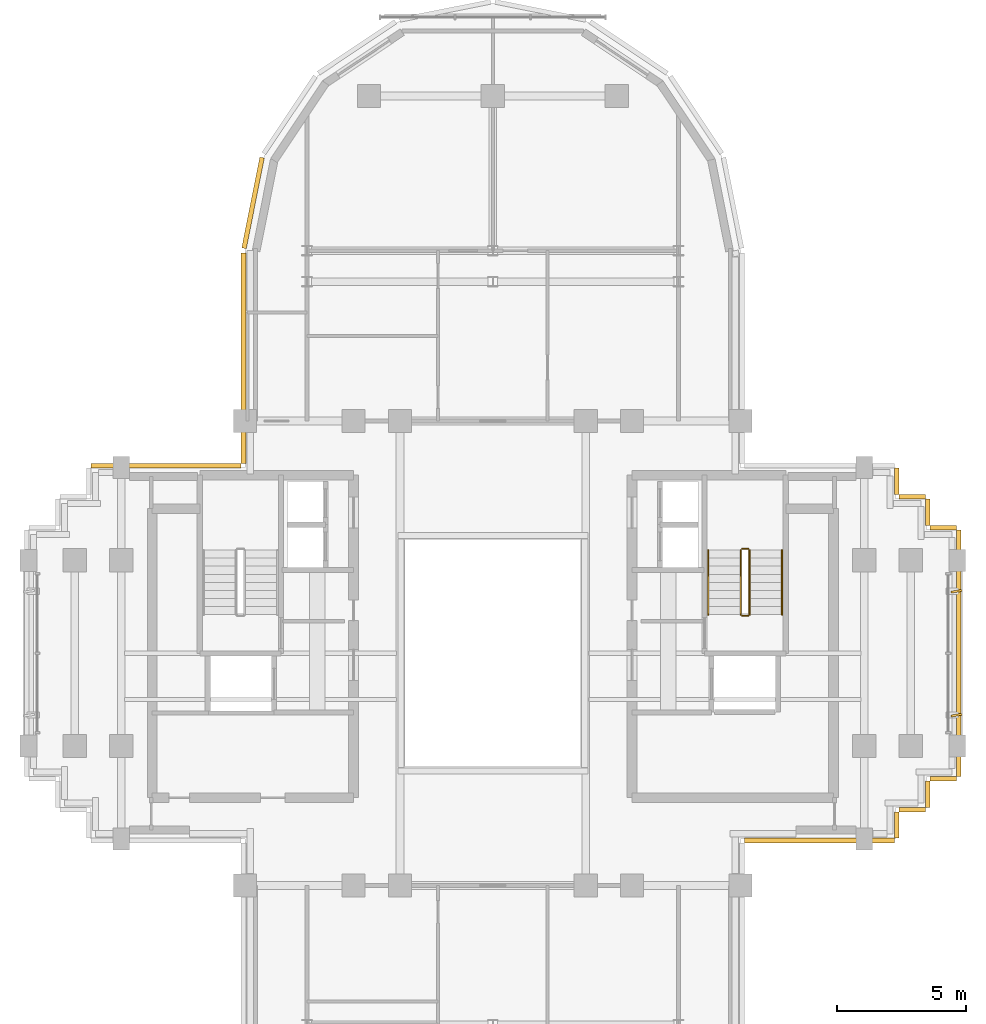
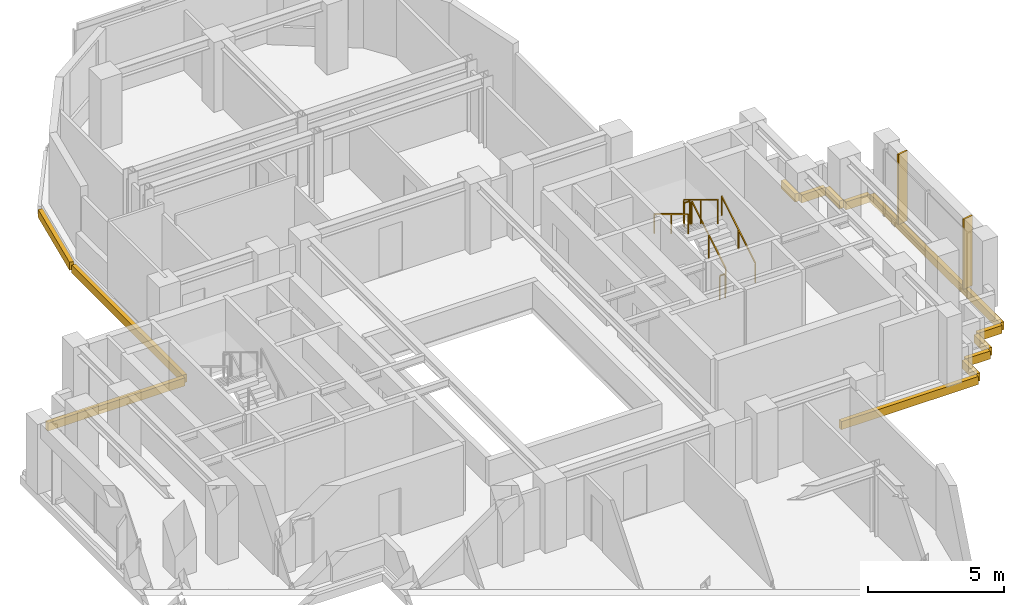
# One storey, part 10 of 11: 13 coverings, 6 railings, 2 shading devices.
"""IFC4 building model written with IfcOpenShell, lengths in metres."""

from ifc_helpers import new_model, si_unit, direction, frame, origin, origin_2d, place, context, subcontext, project, spatial, rectangle, extrude, source, transform, mapped, material, layer, layer_set, type_object, element, save


model = new_model("IFC4")

# Units and contexts
model_context = context("Model", 3, precision=1e-05, world=origin(), true_north=direction((0.0, 1.0)))
body_context = subcontext(model_context, "Body", "Model", "MODEL_VIEW")
ifc_project = project(units=[si_unit("LENGTHUNIT", "METRE"), si_unit("AREAUNIT", "SQUARE_METRE"), si_unit("VOLUMEUNIT", "CUBIC_METRE"), si_unit("PLANEANGLEUNIT", "RADIAN"), si_unit("MASSUNIT", "GRAM", prefix="KILO")], contexts=[model_context])

# Site, building, storey
site_placement = place(None, origin())
site = spatial("IfcSite", under=ifc_project, at=site_placement, CompositionType="ELEMENT")
building_placement = place(site_placement, origin())
building = spatial("IfcBuilding", under=site, at=building_placement, Name="Keilestroom Media Tower", CompositionType="ELEMENT")
storey_placement = place(building_placement, frame((0.0, 0.0, 211.39990234375)))
storey = spatial("IfcBuildingStorey", under=building, at=storey_placement, Name="L58", CompositionType="ELEMENT", Elevation=211.39990234375)

# Railings
ifc_material_1 = material(Name="Brushed Stainless Steel 1.4301", Category="steel")
railing_type_1 = type_object("IfcRailingType", Name="Stair-Pitch-Handrail-920", PredefinedType="HANDRAIL", material=ifc_material_1)
railing_1_placement = place(storey_placement, frame((11.2099609375, 1.5, 0.18896484375)))
element("IfcRailing", 1, at=railing_1_placement, inside=storey, type_object=railing_type_1, Name="L58 ST-2 stair handrail 1", PredefinedType="HANDRAIL", context=body_context, shape_type="SweptSolid", body=[
    extrude(rectangle(XDim=0.048095703125, YDim=0.048095703125, at=origin_2d()), frame((0.0, 0.0, 0.8759765625), z_axis=(0.0, 0.855433747314, 0.517912255074), x_axis=(-1.0, 0.0, 0.0)), (0.0, 0.0, 1.0), 2.91796875),
    extrude(rectangle(XDim=0.0419921875, YDim=0.0419921875, at=origin_2d()), origin(), (0.0, 0.0, 1.0), 0.84375),
    extrude(rectangle(XDim=0.0419921875, YDim=0.0419921875, at=origin_2d()), frame((0.0, 1.248046875, 0.755615234375)), (0.0, 0.0, 1.0), 0.84375),
    extrude(rectangle(XDim=0.0419921875, YDim=0.0419921875, at=origin_2d()), frame((0.0, 2.49609375, 1.51123046875)), (0.0, 0.0, 1.0), 0.84375),
])
railing_2_placement = place(storey_placement, frame((8.35009765625, 3.99609375, 1.888916015625)))
element("IfcRailing", 2, at=railing_2_placement, inside=storey, type_object=railing_type_1, Name="L58 ST-2 stair handrail 2", PredefinedType="HANDRAIL", context=body_context, shape_type="SweptSolid", body=[
    extrude(rectangle(XDim=0.048095703125, YDim=0.048095703125, at=origin_2d()), frame((0.0, 0.0, 0.8759765625), z_axis=(0.0, -0.855433747314, 0.517912255074), x_axis=(1.0, 0.0, 0.0)), (0.0, 0.0, 1.0), 2.91796875),
    extrude(rectangle(XDim=0.0419921875, YDim=0.0419921875, at=origin_2d()), origin(), (0.0, 0.0, 1.0), 0.84375),
    extrude(rectangle(XDim=0.0419921875, YDim=0.0419921875, at=origin_2d()), frame((0.0, -1.248046875, 0.755615234375)), (0.0, 0.0, 1.0), 0.84375),
    extrude(rectangle(XDim=0.0419921875, YDim=0.0419921875, at=origin_2d()), frame((0.0, -2.49609375, 1.51123046875)), (0.0, 0.0, 1.0), 0.84375),
])
ifc_material_2 = material(Name="Painted Steel Balustrade", Category="steel")
railing_type_2 = type_object("IfcRailingType", Name="Stair-Well-And-Landing-Guard-1100", PredefinedType="GUARDRAIL", material=ifc_material_2)
railing_3_placement = place(storey_placement, frame((9.949951171875, 1.5, 0.18896484375)))
element("IfcRailing", 3, at=railing_3_placement, inside=storey, type_object=railing_type_2, Name="L58 ST-2 stair guard 1", PredefinedType="GUARDRAIL", context=body_context, shape_type="SweptSolid", body=[
    extrude(rectangle(XDim=0.048095703125, YDim=0.048095703125, at=origin_2d()), frame((0.0, 0.0, 1.076171875), z_axis=(0.0, 0.855433747314, 0.517912255074), x_axis=(-1.0, 0.0, 0.0)), (0.0, 0.0, 1.0), 2.91796875),
    extrude(rectangle(XDim=0.0419921875, YDim=0.0419921875, at=origin_2d()), origin(), (0.0, 0.0, 1.0), 1.0439453125),
    extrude(rectangle(XDim=0.0419921875, YDim=0.0419921875, at=origin_2d()), frame((0.0, 1.248046875, 0.755615234375)), (0.0, 0.0, 1.0), 1.0439453125),
    extrude(rectangle(XDim=0.0419921875, YDim=0.0419921875, at=origin_2d()), frame((0.0, 2.49609375, 1.51123046875)), (0.0, 0.0, 1.0), 1.0439453125),
])
railing_4_placement = place(storey_placement, frame((9.89990234375, 4.0458984375, 1.7001953125)))
element("IfcRailing", 4, at=railing_4_placement, inside=storey, type_object=railing_type_2, Name="L58 ST-2 stair guard 2", PredefinedType="GUARDRAIL", context=body_context, shape_type="SweptSolid", body=[
    extrude(rectangle(XDim=0.048095703125, YDim=0.048095703125, at=origin_2d()), frame((0.0, 0.0, 1.076171875), z_axis=(-1.0, 0.0, 0.0), x_axis=(0.0, -1.0, 0.0)), (0.0, 0.0, 1.0), 0.239990234375),
    extrude(rectangle(XDim=0.0419921875, YDim=0.0419921875, at=origin_2d()), origin(), (0.0, 0.0, 1.0), 1.0439453125),
    extrude(rectangle(XDim=0.0419921875, YDim=0.0419921875, at=origin_2d()), frame((-0.239990234375, 0.0, 0.0)), (0.0, 0.0, 1.0), 1.0439453125),
])
railing_5_placement = place(storey_placement, frame((9.610107421875, 3.99609375, 1.888916015625)))
element("IfcRailing", 5, at=railing_5_placement, inside=storey, type_object=railing_type_2, Name="L58 ST-2 stair guard 3", PredefinedType="GUARDRAIL", context=body_context, shape_type="SweptSolid", body=[
    extrude(rectangle(XDim=0.048095703125, YDim=0.048095703125, at=origin_2d()), frame((0.0, 0.0, 1.076171875), z_axis=(0.0, -0.855433747314, 0.517912255074), x_axis=(1.0, 0.0, 0.0)), (0.0, 0.0, 1.0), 2.91796875),
    extrude(rectangle(XDim=0.0419921875, YDim=0.0419921875, at=origin_2d()), origin(), (0.0, 0.0, 1.0), 1.0439453125),
    extrude(rectangle(XDim=0.0419921875, YDim=0.0419921875, at=origin_2d()), frame((0.0, -1.248046875, 0.755615234375)), (0.0, 0.0, 1.0), 1.0439453125),
    extrude(rectangle(XDim=0.0419921875, YDim=0.0419921875, at=origin_2d()), frame((0.0, -2.49609375, 1.51123046875)), (0.0, 0.0, 1.0), 1.0439453125),
])
railing_6_placement = place(storey_placement, frame((9.89990234375, 1.449951171875, 0.0)))
element("IfcRailing", 6, at=railing_6_placement, inside=storey, type_object=railing_type_2, Name="L58 ST-2 stair guard 4", PredefinedType="GUARDRAIL", context=body_context, shape_type="SweptSolid", body=[
    extrude(rectangle(XDim=0.048095703125, YDim=0.048095703125, at=origin_2d()), frame((0.0, 0.0, 1.076171875), z_axis=(-1.0, 0.0, 0.0), x_axis=(0.0, -1.0, 0.0)), (0.0, 0.0, 1.0), 0.239990234375),
    extrude(rectangle(XDim=0.0419921875, YDim=0.0419921875, at=origin_2d()), origin(), (0.0, 0.0, 1.0), 1.0439453125),
    extrude(rectangle(XDim=0.0419921875, YDim=0.0419921875, at=origin_2d()), frame((-0.239990234375, 0.0, 0.0)), (0.0, 0.0, 1.0), 1.0439453125),
])

# Shading devices
ifc_material_3 = material(Name="Bronze Anodised Aluminium", Category="aluminium")
shading_device_type = type_object("IfcShadingDeviceType", Name="Facade-Vertical-Sunshade-Fin-SHD-1", PredefinedType="USERDEFINED", material=ifc_material_3)
shared_shape_1 = source(origin(), body_context, "Body", "SweptSolid", [
    extrude(rectangle(XDim=0.419921875, YDim=0.080078125, at=origin_2d()), origin(), (0.0, 0.0, 1.0), 3.139892578125),
])
for number, where, z_axis, x_axis, name in (
    (7, (17.969970703125, -2.39990234375, 0.0), (0.0, 0.0, 1.0), (0.986742655175, 0.162292736925, 0.0), "L58 Twisting Sunshade Fin SHD-1 087"),
    (8, (17.969970703125, 2.39990234375, 0.0), (0.0, 0.0, 1.0), (0.986742655175, 0.162292736925, 0.0), "L58 Twisting Sunshade Fin SHD-1 088"),
):
    element("IfcShadingDevice", number, at=place(storey_placement, frame(where, z_axis=z_axis, x_axis=x_axis)), inside=storey, type_object=shading_device_type, Name=name, ObjectType="SUNSHADE", PredefinedType="USERDEFINED", context=body_context, shape_type="MappedRepresentation", body=[
        mapped(shared_shape_1, transform((0.0, 0.0, 0.0), x_axis=(1.0, 0.0, 0.0), y_axis=(0.0, 1.0, 0.0), z_axis=(0.0, 0.0, 1.0), scale=1.0)),
    ])

# Coverings
ifc_material_4 = material(Name="Precast concrete C40/50", Category="concrete")
ifc_layer = layer(ifc_material_4, 0.1201171875)
ifc_layer_set = layer_set([ifc_layer], Name="Precast concrete C40/50")
covering_type = type_object("IfcCoveringType", Name="Exterior-Precast-Spandrel-Cladding-Panel-120", PredefinedType="CLADDING", material=ifc_layer_set)
shared_shape_2 = source(origin(), body_context, "Body", "SweptSolid", [
    extrude(rectangle(XDim=1.02001953125, YDim=0.179931640625, at=origin_2d()), origin(), (0.0, 0.0, 1.0), 0.360107421875),
])
for number, where, z_axis, x_axis, name in (
    (9, (17.4599609375, -4.860107421875, -0.5400390625), (0.0, 0.0, 1.0), (-1.0, 0.0, 0.0), "L58 Precast Slab-Edge Fascia Cornice 01"),
    (10, (16.860107421875, -5.4599609375, -0.5400390625), (0.0, 0.0, 1.0), (0.0, -1.0, 0.0), "L58 Precast Slab-Edge Fascia Cornice 02"),
    (11, (16.260009765625, -6.06005859375, -0.5400390625), (0.0, 0.0, 1.0), (-1.0, 0.0, 0.0), "L58 Precast Slab-Edge Fascia Cornice 03"),
    (12, (15.659912109375, -6.659912109375, -0.5400390625), (0.0, 0.0, 1.0), (0.0, -1.0, 0.0), "L58 Precast Slab-Edge Fascia Cornice 04"),
    (13, (15.659912109375, 6.659912109375, -0.5400390625), (0.0, 0.0, 1.0), (0.0, -1.0, 0.0), "L58 Precast Slab-Edge Fascia Cornice 38"),
    (14, (16.260009765625, 6.06005859375, -0.5400390625), (0.0, 0.0, 1.0), (1.0, 0.0, 0.0), "L58 Precast Slab-Edge Fascia Cornice 39"),
    (15, (16.860107421875, 5.4599609375, -0.5400390625), (0.0, 0.0, 1.0), (0.0, -1.0, 0.0), "L58 Precast Slab-Edge Fascia Cornice 40"),
    (16, (17.4599609375, 4.860107421875, -0.5400390625), (0.0, 0.0, 1.0), (1.0, 0.0, 0.0), "L58 Precast Slab-Edge Fascia Cornice 41"),
):
    element("IfcCovering", number, at=place(storey_placement, frame(where, z_axis=z_axis, x_axis=x_axis)), inside=storey, type_object=covering_type, Name=name, PredefinedType="CLADDING", context=body_context, shape_type="MappedRepresentation", body=[
        mapped(shared_shape_2, transform((0.0, 0.0, 0.0), x_axis=(1.0, 0.0, 0.0), y_axis=(0.0, 1.0, 0.0), z_axis=(0.0, 0.0, 1.0), scale=1.0)),
    ])
shared_shape_3 = source(origin(), body_context, "Body", "SweptSolid", [
    extrude(rectangle(XDim=8.166015625, YDim=0.179931640625, at=origin_2d()), origin(), (0.0, 0.0, 1.0), 0.360107421875),
])
covering_1_placement = place(storey_placement, frame((-9.659912109375, 11.43310546875, -0.5400390625), z_axis=(0.0, 0.0, 1.0), x_axis=(0.0, 1.0, 0.0)))
element("IfcCovering", 17, at=covering_1_placement, inside=storey, type_object=covering_type, Name="L58 Precast Slab-Edge Fascia Cornice 27", PredefinedType="CLADDING", context=body_context, shape_type="MappedRepresentation", body=[
    mapped(shared_shape_3, transform((0.0, 0.0, 0.0), x_axis=(1.0, 0.0, 0.0), y_axis=(0.0, 1.0, 0.0), z_axis=(0.0, 0.0, 1.0), scale=1.0)),
])
shared_shape_4 = source(origin(), body_context, "Body", "SweptSolid", [
    extrude(rectangle(XDim=3.58349609375, YDim=0.179931640625, at=origin_2d()), origin(), (0.0, 0.0, 1.0), 0.360107421875),
])
covering_2_placement = place(storey_placement, frame((-9.29296875, 17.45166015625, -0.5400390625), z_axis=(0.0, 0.0, 1.0), x_axis=(0.195098880975, 0.980783577882, 0.0)))
element("IfcCovering", 18, at=covering_2_placement, inside=storey, type_object=covering_type, Name="L58 Precast Slab-Edge Fascia Cornice 28", PredefinedType="CLADDING", context=body_context, shape_type="MappedRepresentation", body=[
    mapped(shared_shape_4, transform((0.0, 0.0, 0.0), x_axis=(1.0, 0.0, 0.0), y_axis=(0.0, 1.0, 0.0), z_axis=(0.0, 0.0, 1.0), scale=1.0)),
])
shared_shape_5 = source(origin(), body_context, "Body", "SweptSolid", [
    extrude(rectangle(XDim=9.5400390625, YDim=0.179931640625, at=origin_2d()), origin(), (0.0, 0.0, 1.0), 0.360107421875),
])
covering_3_placement = place(storey_placement, frame((18.06005859375, 0.0, -0.5400390625), z_axis=(0.0, 0.0, 1.0), x_axis=(0.0, -1.0, 0.0)))
element("IfcCovering", 19, at=covering_3_placement, inside=storey, type_object=covering_type, Name="L58 Precast Slab-Edge Fascia Cornice 42", PredefinedType="CLADDING", context=body_context, shape_type="MappedRepresentation", body=[
    mapped(shared_shape_5, transform((0.0, 0.0, 0.0), x_axis=(1.0, 0.0, 0.0), y_axis=(0.0, 1.0, 0.0), z_axis=(0.0, 0.0, 1.0), scale=1.0)),
])
shared_shape_6 = source(origin(), body_context, "Body", "SweptSolid", [
    extrude(rectangle(XDim=5.820068359375, YDim=0.179931640625, at=origin_2d()), origin(), (0.0, 0.0, 1.0), 0.360107421875),
])
for number, where, z_axis, x_axis, name in (
    (20, (12.659912109375, -7.260009765625, -0.5400390625), (0.0, 0.0, 1.0), (-1.0, 0.0, 0.0), "L58 Precast Slab-Edge Fascia Cornice 05"),
    (21, (-12.659912109375, 7.260009765625, -0.5400390625), (0.0, 0.0, 1.0), (1.0, 0.0, 0.0), "L58 Precast Slab-Edge Fascia Cornice 26"),
):
    element("IfcCovering", number, at=place(storey_placement, frame(where, z_axis=z_axis, x_axis=x_axis)), inside=storey, type_object=covering_type, Name=name, PredefinedType="CLADDING", context=body_context, shape_type="MappedRepresentation", body=[
        mapped(shared_shape_6, transform((0.0, 0.0, 0.0), x_axis=(1.0, 0.0, 0.0), y_axis=(0.0, 1.0, 0.0), z_axis=(0.0, 0.0, 1.0), scale=1.0)),
    ])

save(model, "model.ifc")
